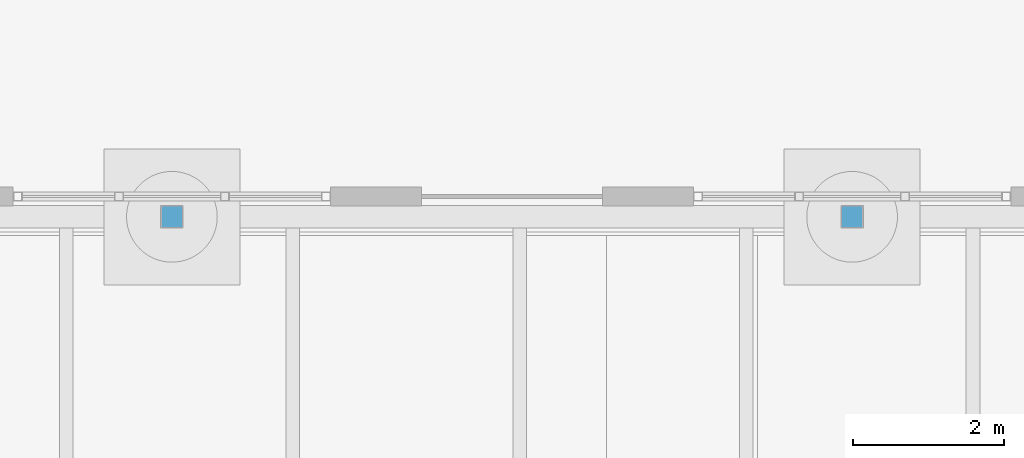
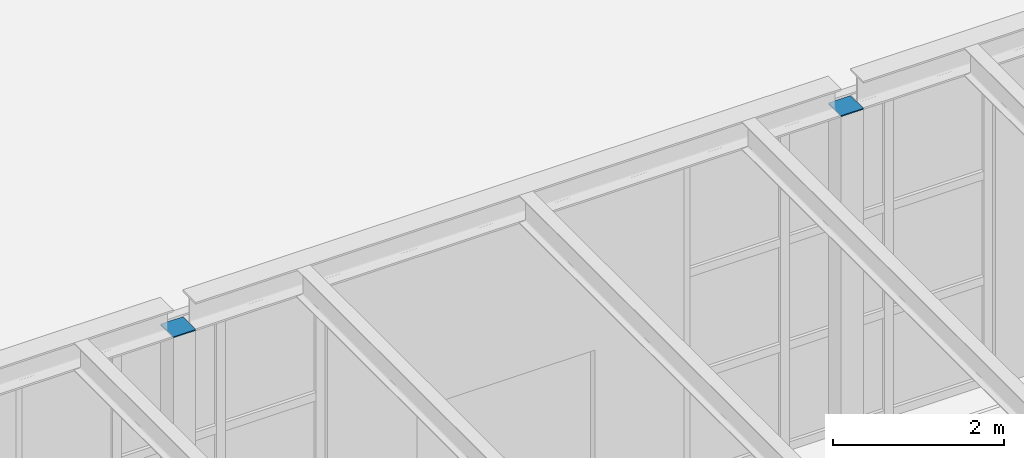
# One storey, part 116 of 168: 2 discrete accessories.
"""IFC4 building model written with IfcOpenShell, lengths in metres."""

from ifc_helpers import new_model, si_unit, direction, frame, origin, origin_2d, place, context, subcontext, project, spatial, rectangle, extrude, material, material_profile, profile_set, type_object, element, save


model = new_model("IFC4")

# Units and contexts
model_context = context("Model", 3, precision=1e-05, world=origin(), true_north=direction((0.0, 1.0)))
body_context = subcontext(model_context, "Body", "Model", "MODEL_VIEW")
ifc_project = project(units=[si_unit("LENGTHUNIT", "METRE"), si_unit("AREAUNIT", "SQUARE_METRE"), si_unit("VOLUMEUNIT", "CUBIC_METRE"), si_unit("PLANEANGLEUNIT", "RADIAN"), si_unit("MASSUNIT", "GRAM", prefix="KILO")], contexts=[model_context])

# Site, building, storey
site_placement = place(None, origin())
site = spatial("IfcSite", under=ifc_project, at=site_placement, CompositionType="ELEMENT")
building_placement = place(site_placement, origin())
building = spatial("IfcBuilding", under=site, at=building_placement, Name="Golden Quay Civic Hall", CompositionType="ELEMENT")
storey_placement = place(building_placement, origin())
storey = spatial("IfcBuildingStorey", under=building, at=storey_placement, Name="L00", CompositionType="ELEMENT", Elevation=0.0)

# Discrete accessories
ifc_material = material(Name="Steel S355", Category="steel")
ifc_material_profile = material_profile(ifc_material, rectangle(XDim=0.300048828125, YDim=0.300048828125, at=origin_2d()), Name="Steel end cap plate 300x300x16")
ifc_profile_set = profile_set([ifc_material_profile], Name="Steel S355")
discrete_accessory_type = type_object("IfcDiscreteAccessoryType", Name="Steel end cap plate 300x300x16", PredefinedType="BRACKET", material=ifc_profile_set)
for number, where, z_axis, x_axis, name in (
    (1, (81.0, 0.0, 4.800048828125), (0.0, 0.0, 1.0), (1.0, 0.0, 0.0), "End cap entrance column 81"),
    (2, (90.0, 0.0, 4.800048828125), (0.0, 0.0, 1.0), (1.0, 0.0, 0.0), "End cap entrance column 90"),
):
    element("IfcDiscreteAccessory", number, at=place(storey_placement, frame(where, z_axis=z_axis, x_axis=x_axis)), inside=storey, type_object=discrete_accessory_type, Name=name, PredefinedType="BRACKET", context=body_context, shape_type="SweptSolid", body=[
        extrude(rectangle(XDim=0.300048828125, YDim=0.300048828125, at=origin_2d()), origin(), (0.0, 0.0, 1.0), 0.015869140625),
    ])

save(model, "model.ifc")
